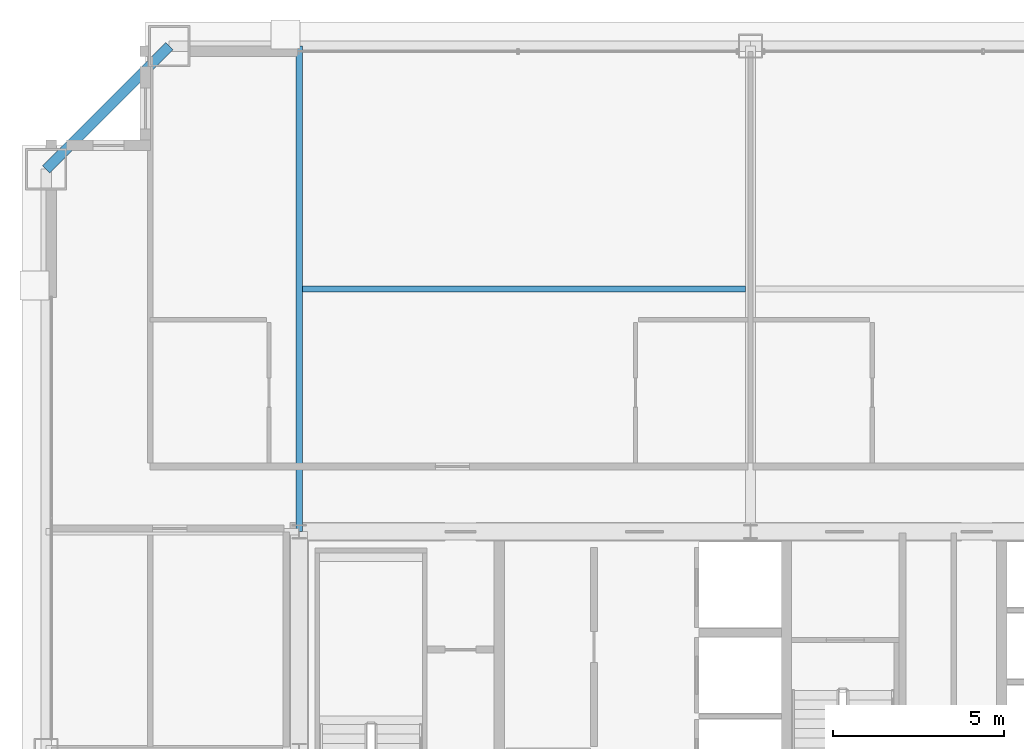
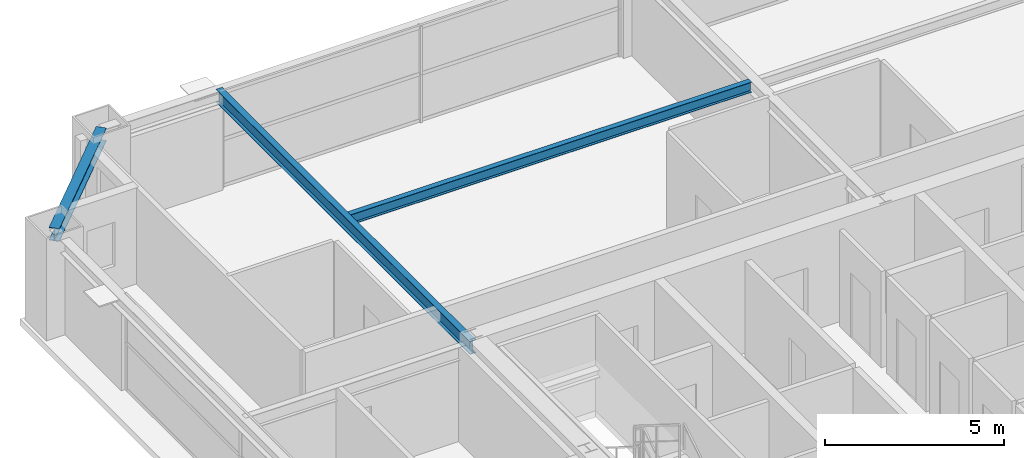
# One storey, part 23 of 36: 3 beams.
"""IFC4 building model written with IfcOpenShell, lengths in metres."""

from ifc_helpers import new_model, si_unit, direction, frame, origin, origin_2d, place, context, subcontext, project, spatial, i_section, extrude, source, transform, mapped, material, material_profile, profile_set, type_object, element, save


model = new_model("IFC4")

# Units and contexts
model_context = context("Model", 3, precision=1e-05, world=origin(), true_north=direction((0.0, 1.0)))
body_context = subcontext(model_context, "Body", "Model", "MODEL_VIEW")
ifc_project = project(units=[si_unit("LENGTHUNIT", "METRE"), si_unit("AREAUNIT", "SQUARE_METRE"), si_unit("VOLUMEUNIT", "CUBIC_METRE"), si_unit("PLANEANGLEUNIT", "RADIAN"), si_unit("MASSUNIT", "GRAM", prefix="KILO"), si_unit("THERMODYNAMICTEMPERATUREUNIT", "KELVIN"), si_unit("POWERUNIT", "WATT")], contexts=[model_context])

# Site, building, storey
site_placement = place(None, origin())
site = spatial("IfcSite", under=ifc_project, at=site_placement, CompositionType="ELEMENT")
building_placement = place(site_placement, origin())
building = spatial("IfcBuilding", under=site, at=building_placement, Name="Yuzanri Waterfront Tower", CompositionType="ELEMENT")
storey_placement = place(building_placement, frame((0.0, 0.0, 231.10009765625)))
storey = spatial("IfcBuildingStorey", under=building, at=storey_placement, Name="L61", CompositionType="ELEMENT", Elevation=231.10009765625)

# Beams
ifc_material_1 = material(Name="Steel Q355B", Category="steel")
ifc_material_profile_1 = material_profile(ifc_material_1, i_section(OverallWidth=0.300048828125, OverallDepth=0.43994140625, WebThickness=0.010986328125, FlangeThickness=0.01806640625, at=origin_2d()), Name="HM 440x300x11x18")
ifc_profile_set_1 = profile_set([ifc_material_profile_1], Name="Steel Q355B")
beam_type_1 = type_object("IfcBeamType", Name="Perimeter Spandrel Q355B HM 440x300", PredefinedType="SPANDREL", material=ifc_profile_set_1)
shared_shape_1 = source(origin(), body_context, "Body", "SweptSolid", [
    extrude(i_section(OverallWidth=0.300048828125, OverallDepth=0.43994140625, WebThickness=0.010986328125, FlangeThickness=0.01806640625, at=origin_2d()), origin(), (0.0, 0.0, 1.0), 5.091064453125),
])
beam_1_placement = place(storey_placement, frame((20.0, 46.39990234375, 3.059814453125), z_axis=(-0.707130757816, -0.707082803744, 0.0), x_axis=(0.707082803744, -0.707130757816, 0.0)))
element("IfcBeam", 1, at=beam_1_placement, inside=storey, type_object=beam_type_1, Name="L61 Perimeter Spandrel N1-W3", PredefinedType="SPANDREL", context=body_context, shape_type="MappedRepresentation", body=[
    mapped(shared_shape_1, transform((0.0, 0.0, 0.0), scale=1.0)),
])
ifc_material_2 = material(Name="Steel Q355B", Category="steel")
ifc_material_profile_2 = material_profile(ifc_material_2, i_section(OverallWidth=0.199951171875, OverallDepth=0.449951171875, WebThickness=0.009033203125, FlangeThickness=0.013916015625, at=origin_2d()), Name="HN 450x200x9x14")
ifc_profile_set_2 = profile_set([ifc_material_profile_2], Name="Steel Q355B")
beam_type_2 = type_object("IfcBeamType", Name="Secondary Floor Beam Q355B HN 450x200", PredefinedType="BEAM", material=ifc_profile_set_2)
shared_shape_2 = source(origin(), body_context, "Body", "SweptSolid", [
    extrude(i_section(OverallWidth=0.199951171875, OverallDepth=0.449951171875, WebThickness=0.009033203125, FlangeThickness=0.013916015625, at=origin_2d()), origin(), (0.0, 0.0, 1.0), 14.199951171875),
])
beam_2_placement = place(storey_placement, frame((23.800048828125, 32.199951171875, 3.054931640625), z_axis=(0.0, 1.0, 0.0), x_axis=(-1.0, 0.0, 0.0)))
element("IfcBeam", 2, at=beam_2_placement, inside=storey, type_object=beam_type_2, Name="L61 North-West Core Line Beam", PredefinedType="BEAM", context=body_context, shape_type="MappedRepresentation", body=[
    mapped(shared_shape_2, transform((0.0, 0.0, 0.0), scale=1.0)),
])
ifc_material_3 = material(Name="Steel Q355B", Category="steel")
ifc_material_profile_3 = material_profile(ifc_material_3, i_section(OverallWidth=0.175048828125, OverallDepth=0.35009765625, WebThickness=0.007080078125, FlangeThickness=0.010986328125, at=origin_2d()), Name="HN 350x175x7x11")
ifc_profile_set_3 = profile_set([ifc_material_profile_3], Name="Steel Q355B")
beam_type_3 = type_object("IfcBeamType", Name="Floor Joist Q355B HN 350x175", PredefinedType="JOIST", material=ifc_profile_set_3)
shared_shape_3 = source(origin(), body_context, "Body", "SweptSolid", [
    extrude(i_section(OverallWidth=0.175048828125, OverallDepth=0.35009765625, WebThickness=0.007080078125, FlangeThickness=0.010986328125, at=origin_2d()), origin(), (0.0, 0.0, 1.0), 12.9501953125),
])
beam_3_placement = place(storey_placement, frame((23.89990234375, 39.300048828125, 3.10498046875), z_axis=(1.0, 0.0, 0.0), x_axis=(0.0, 1.0, 0.0)))
element("IfcBeam", 3, at=beam_3_placement, inside=storey, type_object=beam_type_3, Name="L61 North Bay Joist W", PredefinedType="JOIST", context=body_context, shape_type="MappedRepresentation", body=[
    mapped(shared_shape_3, transform((0.0, 0.0, 0.0), scale=1.0)),
])

save(model, "model.ifc")
